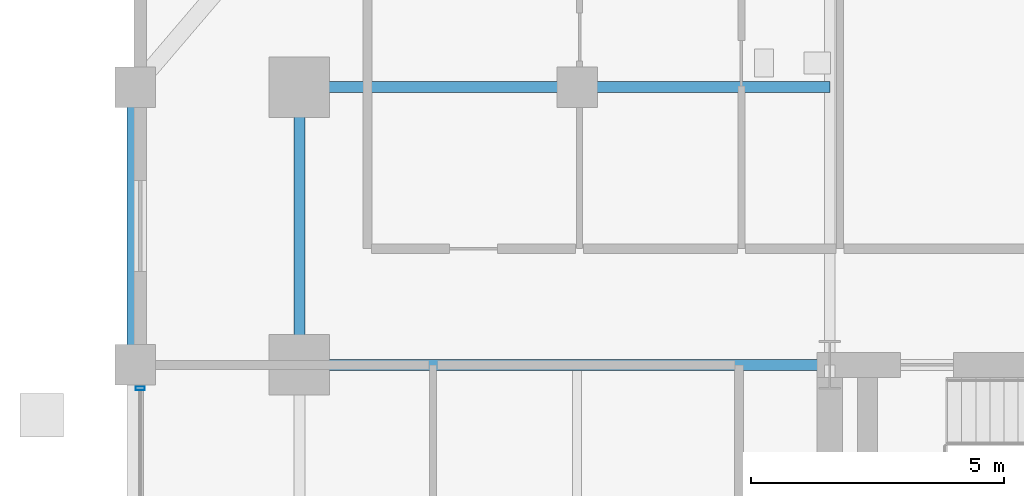
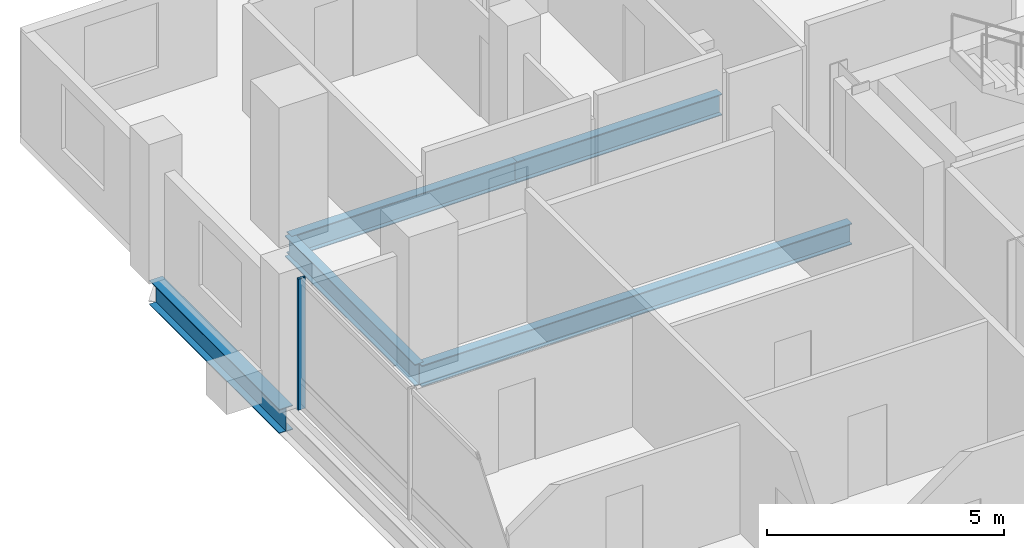
# One storey, part 8 of 20: 5 beams, 1 member, 1 element without a shape of its own.
"""IFC4 building model written with IfcOpenShell, lengths in metres."""

from ifc_helpers import new_model, si_unit, direction, frame, origin, origin_2d, place, context, subcontext, project, spatial, hollow_rectangle, i_section, extrude, material, layer, layer_set, material_profile, profile_set, type_object, element, aggregate, save


model = new_model("IFC4")

# Units and contexts
model_context = context("Model", 3, precision=1e-05, world=origin(), true_north=direction((0.0, 1.0)))
body_context = subcontext(model_context, "Body", "Model", "MODEL_VIEW")
ifc_project = project(units=[si_unit("LENGTHUNIT", "METRE"), si_unit("AREAUNIT", "SQUARE_METRE"), si_unit("VOLUMEUNIT", "CUBIC_METRE"), si_unit("PLANEANGLEUNIT", "RADIAN"), si_unit("MASSUNIT", "GRAM", prefix="KILO")], contexts=[model_context])

# Site, building, storey
site_placement = place(None, origin())
site = spatial("IfcSite", under=ifc_project, at=site_placement, CompositionType="ELEMENT")
building_placement = place(site_placement, origin())
building = spatial("IfcBuilding", under=site, at=building_placement, Name="Barlavira Tower and Art Museum", CompositionType="ELEMENT")
storey_placement = place(building_placement, frame((0.0, 0.0, 136.800048828125)))
storey = spatial("IfcBuildingStorey", under=building, at=storey_placement, Name="L34", CompositionType="ELEMENT", Elevation=136.800048828125)

# Curtain wall, member
ifc_material_1 = material(Name="Low-iron coastal laminated glass", Category="glass")
ifc_layer = layer(ifc_material_1, 0.18994140625, Name="Low-iron coastal laminated glass")
ifc_layer_set = layer_set([ifc_layer], Name="Low-iron coastal laminated glass")
curtain_wall_type = type_object("IfcCurtainWallType", Name="Pale-Metal Unitised Curtain Wall Zone 2", PredefinedType="NOTDEFINED", material=ifc_layer_set)
curtain_wall_placement = place(storey_placement, origin())
curtain_wall = element("IfcCurtainWall", 1, at=curtain_wall_placement, inside=storey, type_object=curtain_wall_type, Name="L34 Curtain Wall CW2-L34-W-B3", PredefinedType="NOTDEFINED")
ifc_material_2 = material(Name="Pale anodised aluminium", Category="aluminium")
ifc_material_profile_1 = material_profile(ifc_material_2, hollow_rectangle(XDim=0.06494140625, YDim=0.179931640625, WallThickness=0.00390625, at=origin_2d()), Name="ALU-MULL 65x180x4")
ifc_profile_set_1 = profile_set([ifc_material_profile_1], Name="Pale anodised aluminium")
member_type = type_object("IfcMemberType", Name="Curtain Wall Pale-Metal Mullion 65x180", PredefinedType="MULLION", material=ifc_profile_set_1)
member_placement = place(storey_placement, frame((-20.14990234375, 7.034912109375, 0.0), z_axis=(0.0, 0.0, 1.0), x_axis=(0.0, -1.0, 0.0)))
member = element("IfcMember", 2, at=member_placement, type_object=member_type, Name="CW2-L34-W-B3 Mullion 0", PredefinedType="MULLION", context=body_context, shape_type="SweptSolid", body=[
    extrude(hollow_rectangle(XDim=0.06494140625, YDim=0.179931640625, WallThickness=0.00390625, at=origin_2d()), origin(), (0.0, 0.0, 1.0), 3.3798828125),
])
aggregate(curtain_wall, [member])

# Beams
ifc_material_3 = material(Name="Steel S355", Category="steel")
ifc_material_profile_2 = material_profile(ifc_material_3, i_section(OverallWidth=0.327880859375, OverallDepth=0.62890625, WebThickness=0.013916015625, FlangeThickness=0.021484375, at=origin_2d()), Name="W610x174.0")
ifc_profile_set_2 = profile_set([ifc_material_profile_2], Name="Steel S355")
beam_type_1 = type_object("IfcBeamType", Name="Perimeter Spandrel Edge Beam W610x174 Steel S355", PredefinedType="SPANDREL", material=ifc_profile_set_2)
beam_1_placement = place(storey_placement, frame((-20.25, 7.5, -0.53466796875), z_axis=(0.0, 1.0, 0.0), x_axis=(-1.0, 0.0, 0.0)))
element("IfcBeam", 3, at=beam_1_placement, inside=storey, type_object=beam_type_1, Name="L34 Spandrel 13", PredefinedType="SPANDREL", context=body_context, shape_type="SweptSolid", body=[
    extrude(i_section(OverallWidth=0.327880859375, OverallDepth=0.62890625, WebThickness=0.013916015625, FlangeThickness=0.021484375, at=origin_2d()), origin(), (0.0, 0.0, 1.0), 5.5),
])
ifc_material_profile_3 = material_profile(ifc_material_3, i_section(OverallWidth=0.214111328125, OverallDepth=0.549072265625, WebThickness=0.0146484375, FlangeThickness=0.023681640625, at=origin_2d()), Name="W530x138.0")
ifc_profile_set_3 = profile_set([ifc_material_profile_3], Name="Steel S355")
beam_type_2 = type_object("IfcBeamType", Name="Zone 1 Primary Floor Girder W530x138 Steel S355", PredefinedType="BEAM", material=ifc_profile_set_3)
beam_2_placement = place(storey_placement, frame((-17.0, 7.5, -0.49462890625), z_axis=(0.0, 1.0, 0.0), x_axis=(-1.0, 0.0, 0.0)))
element("IfcBeam", 4, at=beam_2_placement, inside=storey, type_object=beam_type_2, Name="L34 Girder M-W3", PredefinedType="BEAM", context=body_context, shape_type="SweptSolid", body=[
    extrude(i_section(OverallWidth=0.214111328125, OverallDepth=0.549072265625, WebThickness=0.0146484375, FlangeThickness=0.023681640625, at=origin_2d()), origin(), (0.0, 0.0, 1.0), 5.5),
])
beam_3_placement = place(storey_placement, frame((-17.0, 7.5, -0.49462890625), z_axis=(1.0, 0.0, 0.0), x_axis=(0.0, 1.0, 0.0)))
element("IfcBeam", 5, at=beam_3_placement, inside=storey, type_object=beam_type_2, Name="L34 Girder R-W2", PredefinedType="BEAM", context=body_context, shape_type="SweptSolid", body=[
    extrude(i_section(OverallWidth=0.214111328125, OverallDepth=0.549072265625, WebThickness=0.0146484375, FlangeThickness=0.023681640625, at=origin_2d()), origin(), (0.0, 0.0, 1.0), 10.5),
])
beam_4_placement = place(storey_placement, frame((-17.0, 13.0, -0.49462890625), z_axis=(1.0, 0.0, 0.0), x_axis=(0.0, 1.0, 0.0)))
element("IfcBeam", 6, at=beam_4_placement, inside=storey, type_object=beam_type_2, Name="L34 Girder I-N1", PredefinedType="BEAM", context=body_context, shape_type="SweptSolid", body=[
    extrude(i_section(OverallWidth=0.214111328125, OverallDepth=0.549072265625, WebThickness=0.0146484375, FlangeThickness=0.023681640625, at=origin_2d()), origin(), (0.0, 0.0, 1.0), 5.5),
])
beam_5_placement = place(storey_placement, frame((-11.5, 13.0, -0.49462890625), z_axis=(1.0, 0.0, 0.0), x_axis=(0.0, 1.0, 0.0)))
element("IfcBeam", 7, at=beam_5_placement, inside=storey, type_object=beam_type_2, Name="L34 Girder I-N2", PredefinedType="BEAM", context=body_context, shape_type="SweptSolid", body=[
    extrude(i_section(OverallWidth=0.214111328125, OverallDepth=0.549072265625, WebThickness=0.0146484375, FlangeThickness=0.023681640625, at=origin_2d()), origin(), (0.0, 0.0, 1.0), 5.0),
])

save(model, "model.ifc")
